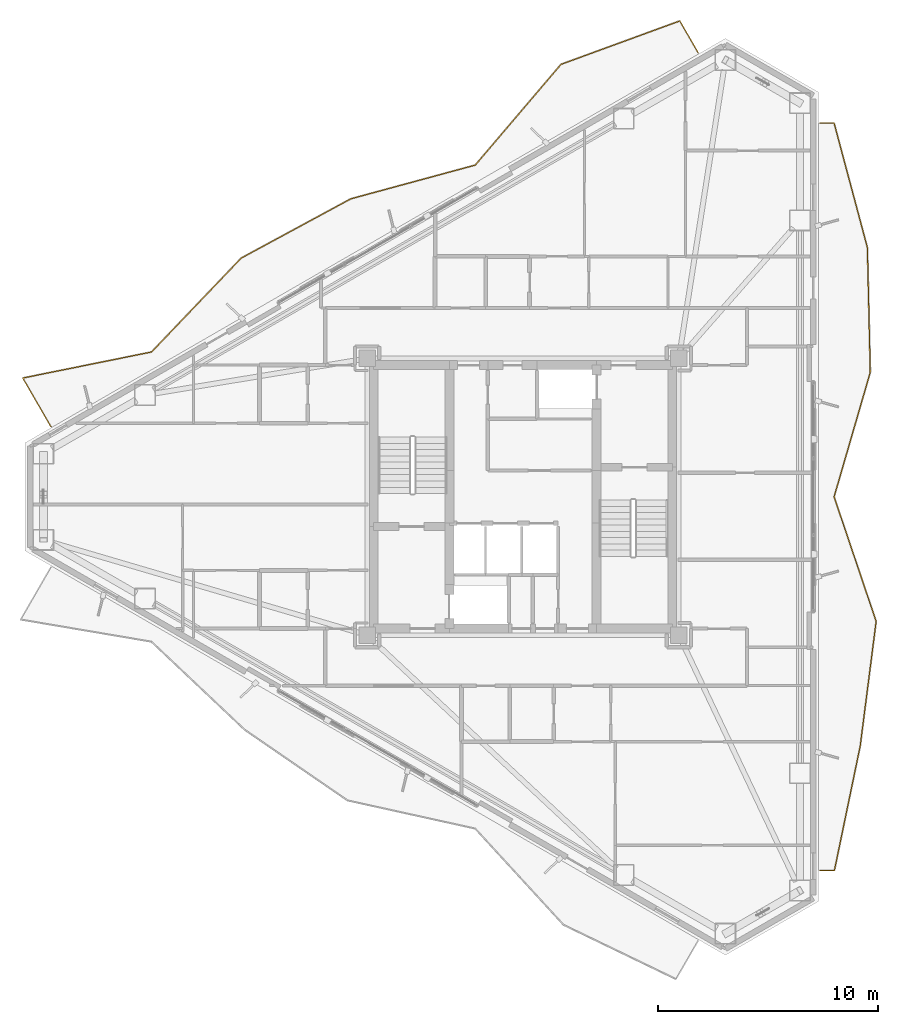
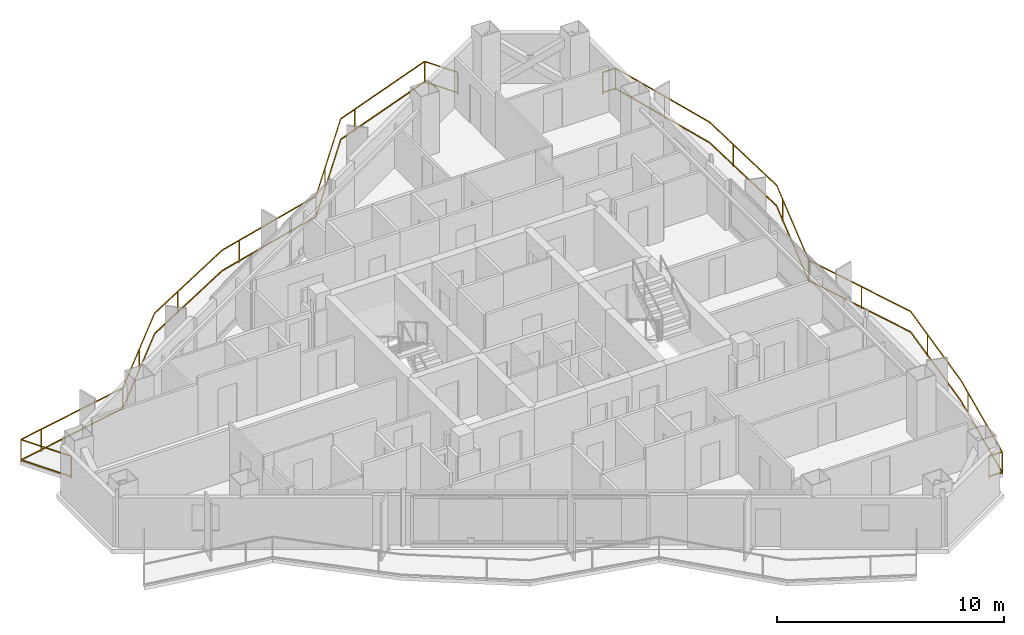
# One storey, part 19 of 19: 2 railings.
"""IFC4 building model written with IfcOpenShell, lengths in metres."""

from ifc_helpers import new_model, si_unit, direction, frame, origin, origin_2d, place, context, subcontext, project, spatial, rectangle, extrude, material, type_object, element, save


model = new_model("IFC4")

# Units and contexts
model_context = context("Model", 3, precision=1e-05, world=origin(), true_north=direction((0.0, 1.0)))
body_context = subcontext(model_context, "Body", "Model", "MODEL_VIEW")
ifc_project = project(units=[si_unit("LENGTHUNIT", "METRE"), si_unit("AREAUNIT", "SQUARE_METRE"), si_unit("VOLUMEUNIT", "CUBIC_METRE"), si_unit("PLANEANGLEUNIT", "RADIAN"), si_unit("MASSUNIT", "GRAM", prefix="KILO")], contexts=[model_context])

# Site, building, storey
site_placement = place(None, origin())
site = spatial("IfcSite", under=ifc_project, at=site_placement, CompositionType="ELEMENT")
building_placement = place(site_placement, origin())
building = spatial("IfcBuilding", under=site, at=building_placement, Name="Mersakhor Tower and Convention Hall", CompositionType="ELEMENT")
storey_placement = place(building_placement, frame((0.0, 0.0, 127.800048828125)))
storey = spatial("IfcBuildingStorey", under=building, at=storey_placement, Name="L35", CompositionType="ELEMENT", Elevation=127.800048828125)

# Railings
ifc_material = material(Name="Powder-coated galvanised steel and laminated glass balustrade", Category="steel")
railing_type = type_object("IfcRailingType", Name="RL-BAL-1200", PredefinedType="BALUSTRADE", material=ifc_material)
railing_1_placement = place(storey_placement, frame((36.983154296875, 46.969482421875, 0.0)))
element("IfcRailing", 1, at=railing_1_placement, inside=storey, type_object=railing_type, Name="L35 Sinusoidal Balcony Balustrade F1", PredefinedType="BALUSTRADE", context=body_context, shape_type="SweptSolid", body=[
    extrude(rectangle(XDim=0.048095703125, YDim=0.048095703125, at=origin_2d()), frame((0.0, 0.0, 1.17578125), z_axis=(-0.499957569697, 0.866049899545, 0.0), x_axis=(-0.866049899545, -0.499957569697, 0.0)), (0.0, 0.0, 1.0), 1.677978515625),
    extrude(rectangle(XDim=0.048095703125, YDim=0.048095703125, at=origin_2d()), frame((0.0, 0.0, 0.080078125), z_axis=(-0.499957569697, 0.866049899545, 0.0), x_axis=(-0.866049899545, -0.499957569697, 0.0)), (0.0, 0.0, 1.0), 1.677978515625),
    extrude(rectangle(XDim=0.048095703125, YDim=0.048095703125, at=origin_2d()), frame((-0.8388671875, 1.453125, 1.17578125), z_axis=(-0.939265186504, -0.343192233917, 0.0), x_axis=(0.343192233917, -0.939265186504, 0.0)), (0.0, 0.0, 1.0), 5.7607421875),
    extrude(rectangle(XDim=0.048095703125, YDim=0.048095703125, at=origin_2d()), frame((-0.8388671875, 1.453125, 0.080078125), z_axis=(-0.939265186504, -0.343192233917, 0.0), x_axis=(0.343192233917, -0.939265186504, 0.0)), (0.0, 0.0, 1.0), 5.7607421875),
    extrude(rectangle(XDim=0.048095703125, YDim=0.048095703125, at=origin_2d()), frame((-6.249755859375, -0.52392578125, 1.17578125), z_axis=(-0.648083620827, -0.761569182948, 0.0), x_axis=(0.761569182948, -0.648083620827, 0.0)), (0.0, 0.0, 1.0), 6.023681640625),
    extrude(rectangle(XDim=0.048095703125, YDim=0.048095703125, at=origin_2d()), frame((-6.249755859375, -0.52392578125, 0.080078125), z_axis=(-0.648083620827, -0.761569182948, 0.0), x_axis=(0.761569182948, -0.648083620827, 0.0)), (0.0, 0.0, 1.0), 6.023681640625),
    extrude(rectangle(XDim=0.048095703125, YDim=0.048095703125, at=origin_2d()), frame((-10.153564453125, -5.111328125, 1.17578125), z_axis=(-0.965162939394, -0.261649575615, 0.0), x_axis=(0.261649575615, -0.965162939394, 0.0)), (0.0, 0.0, 1.0), 5.8701171875),
    extrude(rectangle(XDim=0.048095703125, YDim=0.048095703125, at=origin_2d()), frame((-10.153564453125, -5.111328125, 0.080078125), z_axis=(-0.965162939394, -0.261649575615, 0.0), x_axis=(0.261649575615, -0.965162939394, 0.0)), (0.0, 0.0, 1.0), 5.8701171875),
    extrude(rectangle(XDim=0.048095703125, YDim=0.048095703125, at=origin_2d()), frame((-15.819091796875, -6.647216796875, 1.17578125), z_axis=(-0.879674420088, -0.475576402529, 0.0), x_axis=(0.475576402529, -0.879674420088, 0.0)), (0.0, 0.0, 1.0), 5.6767578125),
    extrude(rectangle(XDim=0.048095703125, YDim=0.048095703125, at=origin_2d()), frame((-15.819091796875, -6.647216796875, 0.080078125), z_axis=(-0.879674420088, -0.475576402529, 0.0), x_axis=(0.475576402529, -0.879674420088, 0.0)), (0.0, 0.0, 1.0), 5.6767578125),
    extrude(rectangle(XDim=0.048095703125, YDim=0.048095703125, at=origin_2d()), frame((-20.812744140625, -9.346923828125, 1.17578125), z_axis=(-0.690629913075, -0.723208353911, 0.0), x_axis=(0.723208353911, -0.690629913075, 0.0)), (0.0, 0.0, 1.0), 5.91259765625),
    extrude(rectangle(XDim=0.048095703125, YDim=0.048095703125, at=origin_2d()), frame((-20.812744140625, -9.346923828125, 0.080078125), z_axis=(-0.690629913075, -0.723208353911, 0.0), x_axis=(0.723208353911, -0.690629913075, 0.0)), (0.0, 0.0, 1.0), 5.91259765625),
    extrude(rectangle(XDim=0.048095703125, YDim=0.048095703125, at=origin_2d()), frame((-24.896240234375, -13.623046875, 1.17578125), z_axis=(-0.980140563224, -0.198303999767, 0.0), x_axis=(0.198303999767, -0.980140563224, 0.0)), (0.0, 0.0, 1.0), 5.98583984375),
    extrude(rectangle(XDim=0.048095703125, YDim=0.048095703125, at=origin_2d()), frame((-24.896240234375, -13.623046875, 0.080078125), z_axis=(-0.980140563224, -0.198303999767, 0.0), x_axis=(0.198303999767, -0.980140563224, 0.0)), (0.0, 0.0, 1.0), 5.98583984375),
    extrude(rectangle(XDim=0.048095703125, YDim=0.048095703125, at=origin_2d()), frame((-30.76318359375, -14.81005859375, 1.17578125), z_axis=(0.500022914263, -0.866012173824, 0.0), x_axis=(0.866012173824, 0.500022914263, 0.0)), (0.0, 0.0, 1.0), 2.5556640625),
    extrude(rectangle(XDim=0.048095703125, YDim=0.048095703125, at=origin_2d()), frame((-30.76318359375, -14.81005859375, 0.080078125), z_axis=(0.500022914263, -0.866012173824, 0.0), x_axis=(0.866012173824, 0.500022914263, 0.0)), (0.0, 0.0, 1.0), 2.5556640625),
    extrude(rectangle(XDim=0.0419921875, YDim=0.0419921875, at=origin_2d()), origin(), (0.0, 0.0, 1.0), 1.15185546875),
    extrude(rectangle(XDim=0.0419921875, YDim=0.0419921875, at=origin_2d()), frame((-0.8388671875, 1.453125, 0.0)), (0.0, 0.0, 1.0), 1.15185546875),
    extrude(rectangle(XDim=0.0419921875, YDim=0.0419921875, at=origin_2d()), frame((-5.347412109375, -0.194091796875, 0.0)), (0.0, 0.0, 1.0), 1.15185546875),
    extrude(rectangle(XDim=0.0419921875, YDim=0.0419921875, at=origin_2d()), frame((-8.73779296875, -3.44775390625, 0.0)), (0.0, 0.0, 1.0), 1.15185546875),
    extrude(rectangle(XDim=0.0419921875, YDim=0.0419921875, at=origin_2d()), frame((-10.153564453125, -5.111328125, 0.0)), (0.0, 0.0, 1.0), 1.15185546875),
    extrude(rectangle(XDim=0.0419921875, YDim=0.0419921875, at=origin_2d()), frame((-14.786376953125, -6.3671875, 0.0)), (0.0, 0.0, 1.0), 1.15185546875),
    extrude(rectangle(XDim=0.0419921875, YDim=0.0419921875, at=origin_2d()), frame((-19.100341796875, -8.421142578125, 0.0)), (0.0, 0.0, 1.0), 1.15185546875),
    extrude(rectangle(XDim=0.0419921875, YDim=0.0419921875, at=origin_2d()), frame((-22.783203125, -11.410400390625, 0.0)), (0.0, 0.0, 1.0), 1.15185546875),
    extrude(rectangle(XDim=0.0419921875, YDim=0.0419921875, at=origin_2d()), frame((-24.896240234375, -13.623046875, 0.0)), (0.0, 0.0, 1.0), 1.15185546875),
    extrude(rectangle(XDim=0.0419921875, YDim=0.0419921875, at=origin_2d()), frame((-29.600830078125, -14.574951171875, 0.0)), (0.0, 0.0, 1.0), 1.15185546875),
    extrude(rectangle(XDim=0.0419921875, YDim=0.0419921875, at=origin_2d()), frame((-30.76318359375, -14.81005859375, 0.0)), (0.0, 0.0, 1.0), 1.15185546875),
    extrude(rectangle(XDim=0.0419921875, YDim=0.0419921875, at=origin_2d()), frame((-29.4853515625, -17.023193359375, 0.0)), (0.0, 0.0, 1.0), 1.15185546875),
])
railing_2_placement = place(storey_placement, frame((42.519287109375, 9.726806640625, 0.0)))
element("IfcRailing", 2, at=railing_2_placement, inside=storey, type_object=railing_type, Name="L35 Sinusoidal Balcony Balustrade F2", PredefinedType="BALUSTRADE", context=body_context, shape_type="SweptSolid", body=[
    extrude(rectangle(XDim=0.048095703125, YDim=0.048095703125, at=origin_2d()), frame((0.0, 0.0, 1.17578125), z_axis=(1.0, 0.0, 0.0), x_axis=(0.0, 1.0, 0.0)), (0.0, 0.0, 1.0), 0.663330078125),
    extrude(rectangle(XDim=0.048095703125, YDim=0.048095703125, at=origin_2d()), frame((0.0, 0.0, 0.080078125), z_axis=(1.0, 0.0, 0.0), x_axis=(0.0, 1.0, 0.0)), (0.0, 0.0, 1.0), 0.663330078125),
    extrude(rectangle(XDim=0.048095703125, YDim=0.048095703125, at=origin_2d()), frame((0.663330078125, 0.0, 1.17578125), z_axis=(0.20298173152, 0.979182524696, 0.0), x_axis=(-0.979182524696, 0.20298173152, 0.0)), (0.0, 0.0, 1.0), 5.794921875),
    extrude(rectangle(XDim=0.048095703125, YDim=0.048095703125, at=origin_2d()), frame((0.663330078125, 0.0, 0.080078125), z_axis=(0.20298173152, 0.979182524696, 0.0), x_axis=(-0.979182524696, 0.20298173152, 0.0)), (0.0, 0.0, 1.0), 5.794921875),
    extrude(rectangle(XDim=0.048095703125, YDim=0.048095703125, at=origin_2d()), frame((1.839599609375, 5.67431640625, 1.17578125), z_axis=(0.126959768751, 0.991907867253, 0.0), x_axis=(-0.991907867253, 0.126959768751, 0.0)), (0.0, 0.0, 1.0), 5.720947265625),
    extrude(rectangle(XDim=0.048095703125, YDim=0.048095703125, at=origin_2d()), frame((1.839599609375, 5.67431640625, 0.080078125), z_axis=(0.126959768751, 0.991907867253, 0.0), x_axis=(-0.991907867253, 0.126959768751, 0.0)), (0.0, 0.0, 1.0), 5.720947265625),
    extrude(rectangle(XDim=0.048095703125, YDim=0.048095703125, at=origin_2d()), frame((2.56591796875, 11.348876953125, 1.17578125), z_axis=(-0.319918619809, 0.947445025687, 0.0), x_axis=(-0.947445025687, -0.319918619809, 0.0)), (0.0, 0.0, 1.0), 5.989013671875),
    extrude(rectangle(XDim=0.048095703125, YDim=0.048095703125, at=origin_2d()), frame((2.56591796875, 11.348876953125, 0.080078125), z_axis=(-0.319918619809, 0.947445025687, 0.0), x_axis=(-0.947445025687, -0.319918619809, 0.0)), (0.0, 0.0, 1.0), 5.989013671875),
    extrude(rectangle(XDim=0.048095703125, YDim=0.048095703125, at=origin_2d()), frame((0.64990234375, 17.023193359375, 1.17578125), z_axis=(0.279013006236, 0.960287322811, 0.0), x_axis=(-0.960287322811, 0.279013006236, 0.0)), (0.0, 0.0, 1.0), 5.908935546875),
    extrude(rectangle(XDim=0.048095703125, YDim=0.048095703125, at=origin_2d()), frame((0.64990234375, 17.023193359375, 0.080078125), z_axis=(0.279013006236, 0.960287322811, 0.0), x_axis=(-0.960287322811, 0.279013006236, 0.0)), (0.0, 0.0, 1.0), 5.908935546875),
    extrude(rectangle(XDim=0.048095703125, YDim=0.048095703125, at=origin_2d()), frame((2.298583984375, 22.697509765625, 1.17578125), z_axis=(-0.023269522538, 0.999729228002, 0.0), x_axis=(-0.999729228002, -0.023269522538, 0.0)), (0.0, 0.0, 1.0), 5.676025390625),
    extrude(rectangle(XDim=0.048095703125, YDim=0.048095703125, at=origin_2d()), frame((2.298583984375, 22.697509765625, 0.080078125), z_axis=(-0.023269522538, 0.999729228002, 0.0), x_axis=(-0.999729228002, -0.023269522538, 0.0)), (0.0, 0.0, 1.0), 5.676025390625),
    extrude(rectangle(XDim=0.048095703125, YDim=0.048095703125, at=origin_2d()), frame((2.16650390625, 28.3720703125, 1.17578125), z_axis=(-0.258211079841, 0.966088525057, 0.0), x_axis=(-0.966088525057, -0.258211079841, 0.0)), (0.0, 0.0, 1.0), 5.87353515625),
    extrude(rectangle(XDim=0.048095703125, YDim=0.048095703125, at=origin_2d()), frame((2.16650390625, 28.3720703125, 0.080078125), z_axis=(-0.258211079841, 0.966088525057, 0.0), x_axis=(-0.966088525057, -0.258211079841, 0.0)), (0.0, 0.0, 1.0), 5.87353515625),
    extrude(rectangle(XDim=0.048095703125, YDim=0.048095703125, at=origin_2d()), frame((0.64990234375, 34.04638671875, 1.17578125), z_axis=(-1.0, 0.0, 0.0), x_axis=(0.0, -1.0, 0.0)), (0.0, 0.0, 1.0), 0.64990234375),
    extrude(rectangle(XDim=0.048095703125, YDim=0.048095703125, at=origin_2d()), frame((0.64990234375, 34.04638671875, 0.080078125), z_axis=(-1.0, 0.0, 0.0), x_axis=(0.0, -1.0, 0.0)), (0.0, 0.0, 1.0), 0.64990234375),
    extrude(rectangle(XDim=0.0419921875, YDim=0.0419921875, at=origin_2d()), origin(), (0.0, 0.0, 1.0), 1.15185546875),
    extrude(rectangle(XDim=0.0419921875, YDim=0.0419921875, at=origin_2d()), frame((0.663330078125, 0.0, 0.0)), (0.0, 0.0, 1.0), 1.15185546875),
    extrude(rectangle(XDim=0.0419921875, YDim=0.0419921875, at=origin_2d()), frame((1.6376953125, 4.7001953125, 0.0)), (0.0, 0.0, 1.0), 1.15185546875),
    extrude(rectangle(XDim=0.0419921875, YDim=0.0419921875, at=origin_2d()), frame((2.32275390625, 9.448486328125, 0.0)), (0.0, 0.0, 1.0), 1.15185546875),
    extrude(rectangle(XDim=0.0419921875, YDim=0.0419921875, at=origin_2d()), frame((1.643310546875, 14.08154296875, 0.0)), (0.0, 0.0, 1.0), 1.15185546875),
    extrude(rectangle(XDim=0.0419921875, YDim=0.0419921875, at=origin_2d()), frame((0.64990234375, 17.023193359375, 0.0)), (0.0, 0.0, 1.0), 1.15185546875),
    extrude(rectangle(XDim=0.0419921875, YDim=0.0419921875, at=origin_2d()), frame((1.9892578125, 21.632568359375, 0.0)), (0.0, 0.0, 1.0), 1.15185546875),
    extrude(rectangle(XDim=0.0419921875, YDim=0.0419921875, at=origin_2d()), frame((2.212646484375, 26.387451171875, 0.0)), (0.0, 0.0, 1.0), 1.15185546875),
    extrude(rectangle(XDim=0.0419921875, YDim=0.0419921875, at=origin_2d()), frame((1.439697265625, 31.091552734375, 0.0)), (0.0, 0.0, 1.0), 1.15185546875),
    extrude(rectangle(XDim=0.0419921875, YDim=0.0419921875, at=origin_2d()), frame((0.64990234375, 34.04638671875, 0.0)), (0.0, 0.0, 1.0), 1.15185546875),
    extrude(rectangle(XDim=0.0419921875, YDim=0.0419921875, at=origin_2d()), frame((0.0, 34.04638671875, 0.0)), (0.0, 0.0, 1.0), 1.15185546875),
])

save(model, "model.ifc")
